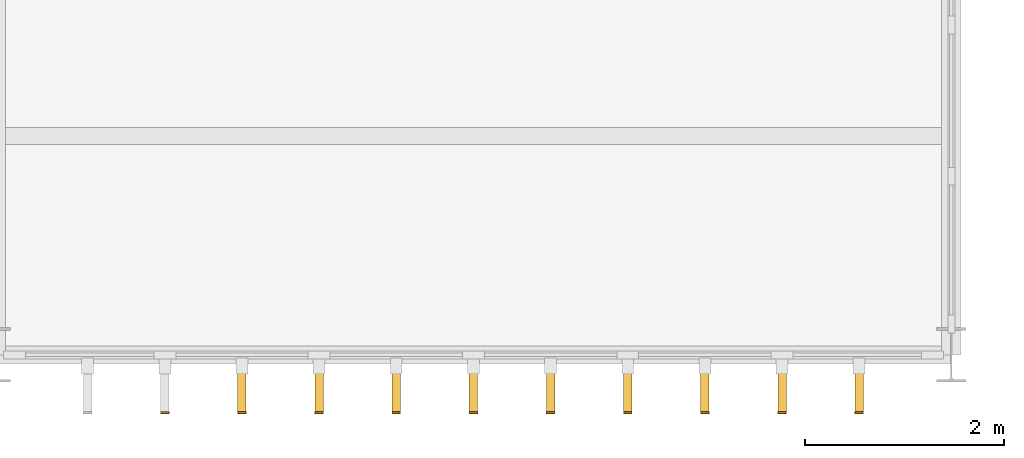
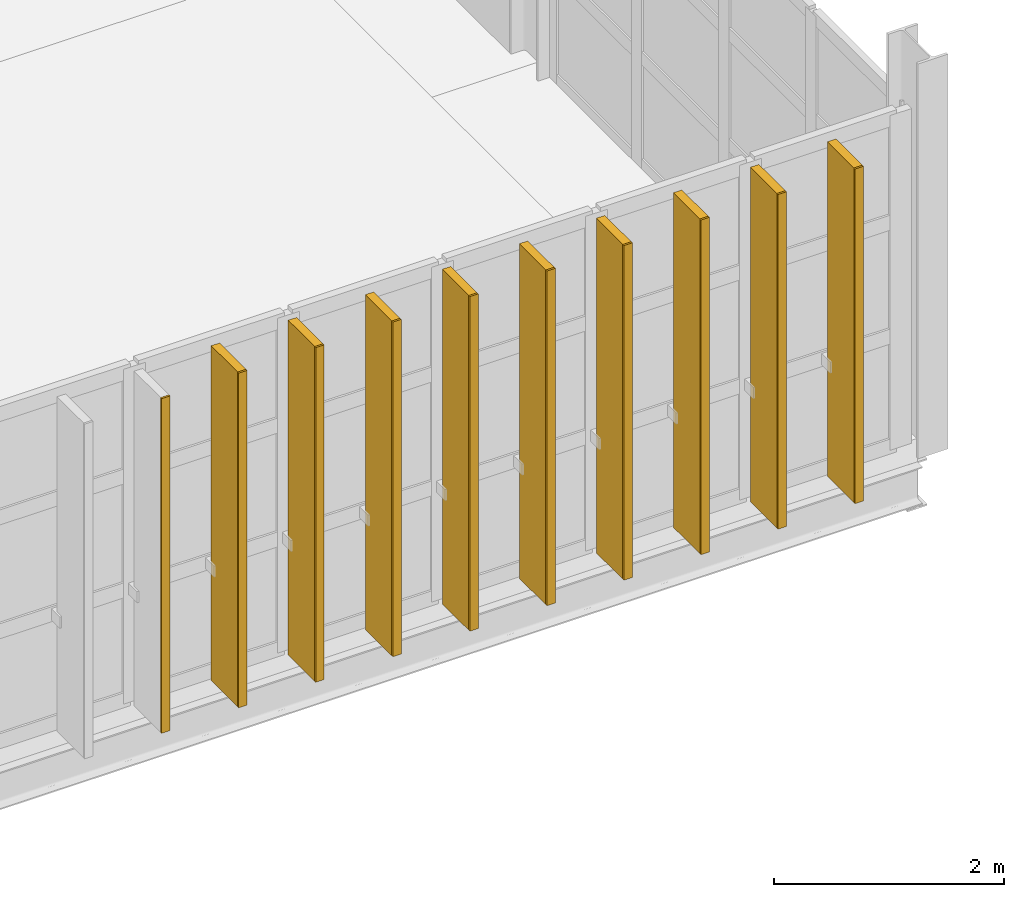
# One storey, part 47 of 52: 10 coverings, 9 shading devices.
"""IFC4 building model written with IfcOpenShell, lengths in metres."""

from ifc_helpers import new_model, si_unit, direction, frame, origin, origin_2d, place, context, subcontext, project, spatial, rectangle, extrude, material, layer, layer_set, type_object, element, save


model = new_model("IFC4")

# Units and contexts
model_context = context("Model", 3, precision=1e-05, world=origin(), true_north=direction((0.0, 1.0)))
body_context = subcontext(model_context, "Body", "Model", "MODEL_VIEW")
ifc_project = project(units=[si_unit("LENGTHUNIT", "METRE"), si_unit("AREAUNIT", "SQUARE_METRE"), si_unit("VOLUMEUNIT", "CUBIC_METRE"), si_unit("PLANEANGLEUNIT", "RADIAN"), si_unit("MASSUNIT", "GRAM", prefix="KILO")], contexts=[model_context])

# Site, building, storey
site_placement = place(None, origin())
site = spatial("IfcSite", under=ifc_project, at=site_placement, CompositionType="ELEMENT")
building_placement = place(site_placement, origin())
building = spatial("IfcBuilding", under=site, at=building_placement, Name="Zarnetskaya Central Station", CompositionType="ELEMENT")
storey_placement = place(building_placement, frame((0.0, 0.0, 14.39990234375)))
storey = spatial("IfcBuildingStorey", under=building, at=storey_placement, Name="L03", CompositionType="ELEMENT", Elevation=14.39990234375)

# Coverings
ifc_material_1 = material(Name="Treated larch timber", Category="wood")
ifc_layer = layer(ifc_material_1, 0.02001953125, Name="Treated larch timber", Category="wood")
ifc_layer_set = layer_set([ifc_layer], Name="Treated larch timber")
covering_type = type_object("IfcCoveringType", Name="COV-LARCH-CAP", PredefinedType="CLADDING", material=ifc_layer_set)
for number, where, z_axis, x_axis, name in (
    (1, (47.074951171875, -0.580078125, 0.0), (0.0, 0.0, 1.0), (-1.0, 0.0, 0.0), "Larch fin weather cap CW-L03-042-01"),
    (2, (46.300048828125, -0.580078125, 0.0), (0.0, 0.0, 1.0), (-1.0, 0.0, 0.0), "Larch fin weather cap CW-L03-042-02"),
    (3, (45.52490234375, -0.580078125, 0.0), (0.0, 0.0, 1.0), (-1.0, 0.0, 0.0), "Larch fin weather cap CW-L03-042-03"),
    (4, (44.75, -0.580078125, 0.0), (0.0, 0.0, 1.0), (-1.0, 0.0, 0.0), "Larch fin weather cap CW-L03-042-04"),
    (5, (43.97509765625, -0.580078125, 0.0), (0.0, 0.0, 1.0), (-1.0, 0.0, 0.0), "Larch fin weather cap CW-L03-042-05"),
    (6, (43.199951171875, -0.580078125, 0.0), (0.0, 0.0, 1.0), (-1.0, 0.0, 0.0), "Larch fin weather cap CW-L03-042-06"),
    (7, (42.425048828125, -0.580078125, 0.0), (0.0, 0.0, 1.0), (-1.0, 0.0, 0.0), "Larch fin weather cap CW-L03-042-07"),
    (8, (41.64990234375, -0.580078125, 0.0), (0.0, 0.0, 1.0), (-1.0, 0.0, 0.0), "Larch fin weather cap CW-L03-042-08"),
    (9, (40.875, -0.580078125, 0.0), (0.0, 0.0, 1.0), (-1.0, 0.0, 0.0), "Larch fin weather cap CW-L03-042-09"),
    (10, (40.10009765625, -0.580078125, 0.0), (0.0, 0.0, 1.0), (-1.0, 0.0, 0.0), "Larch fin weather cap CW-L03-042-10"),
):
    element("IfcCovering", number, at=place(storey_placement, frame(where, z_axis=z_axis, x_axis=x_axis)), inside=storey, type_object=covering_type, Name=name, PredefinedType="CLADDING", context=body_context, shape_type="SweptSolid", body=[
        extrude(rectangle(XDim=0.0849609375, YDim=0.02001953125, at=origin_2d()), origin(), (0.0, 0.0, 1.0), 3.56005859375),
    ])

# Shading devices
ifc_material_2 = material(Name="Larch glulam GL28h", Category="wood")
shading_device_type = type_object("IfcShadingDeviceType", Name="SHD-LARCH-FIN-B", PredefinedType="USERDEFINED", material=ifc_material_2)
for number, where, z_axis, x_axis, name in (
    (11, (47.074951171875, -0.340087890625, 0.0), (0.0, 0.0, 1.0), (-1.0, 0.0, 0.0), "Vertical larch timber fin CW-L03-042-01"),
    (12, (46.300048828125, -0.340087890625, 0.0), (0.0, 0.0, 1.0), (-1.0, 0.0, 0.0), "Vertical larch timber fin CW-L03-042-02"),
    (13, (45.52490234375, -0.340087890625, 0.0), (0.0, 0.0, 1.0), (-1.0, 0.0, 0.0), "Vertical larch timber fin CW-L03-042-03"),
    (14, (44.75, -0.340087890625, 0.0), (0.0, 0.0, 1.0), (-1.0, 0.0, 0.0), "Vertical larch timber fin CW-L03-042-04"),
    (15, (43.97509765625, -0.340087890625, 0.0), (0.0, 0.0, 1.0), (-1.0, 0.0, 0.0), "Vertical larch timber fin CW-L03-042-05"),
    (16, (43.199951171875, -0.340087890625, 0.0), (0.0, 0.0, 1.0), (-1.0, 0.0, 0.0), "Vertical larch timber fin CW-L03-042-06"),
    (17, (42.425048828125, -0.340087890625, 0.0), (0.0, 0.0, 1.0), (-1.0, 0.0, 0.0), "Vertical larch timber fin CW-L03-042-07"),
    (18, (41.64990234375, -0.340087890625, 0.0), (0.0, 0.0, 1.0), (-1.0, 0.0, 0.0), "Vertical larch timber fin CW-L03-042-08"),
    (19, (40.875, -0.340087890625, 0.0), (0.0, 0.0, 1.0), (-1.0, 0.0, 0.0), "Vertical larch timber fin CW-L03-042-09"),
):
    element("IfcShadingDevice", number, at=place(storey_placement, frame(where, z_axis=z_axis, x_axis=x_axis)), inside=storey, type_object=shading_device_type, Name=name, ObjectType="TIMBER FIN", PredefinedType="USERDEFINED", context=body_context, shape_type="SweptSolid", body=[
        extrude(rectangle(XDim=0.0849609375, YDim=0.4599609375, at=origin_2d()), origin(), (0.0, 0.0, 1.0), 3.56005859375),
    ])

save(model, "model.ifc")
